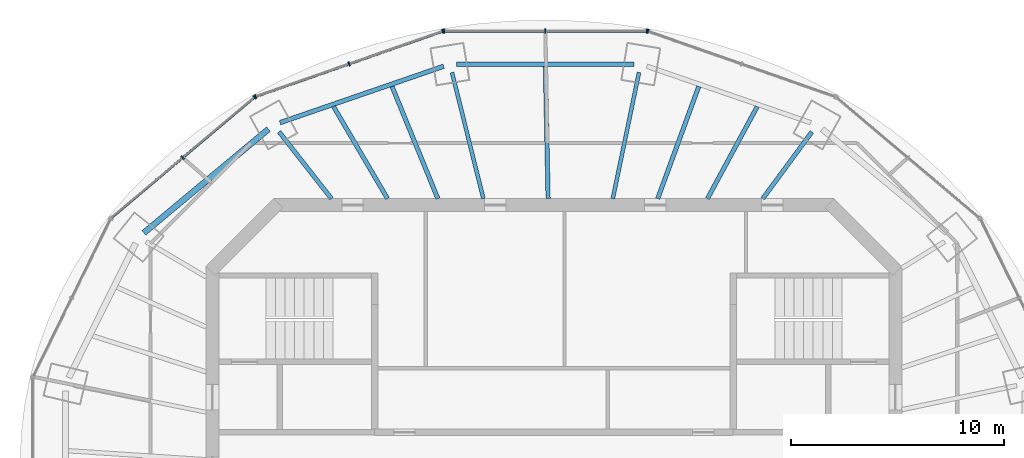
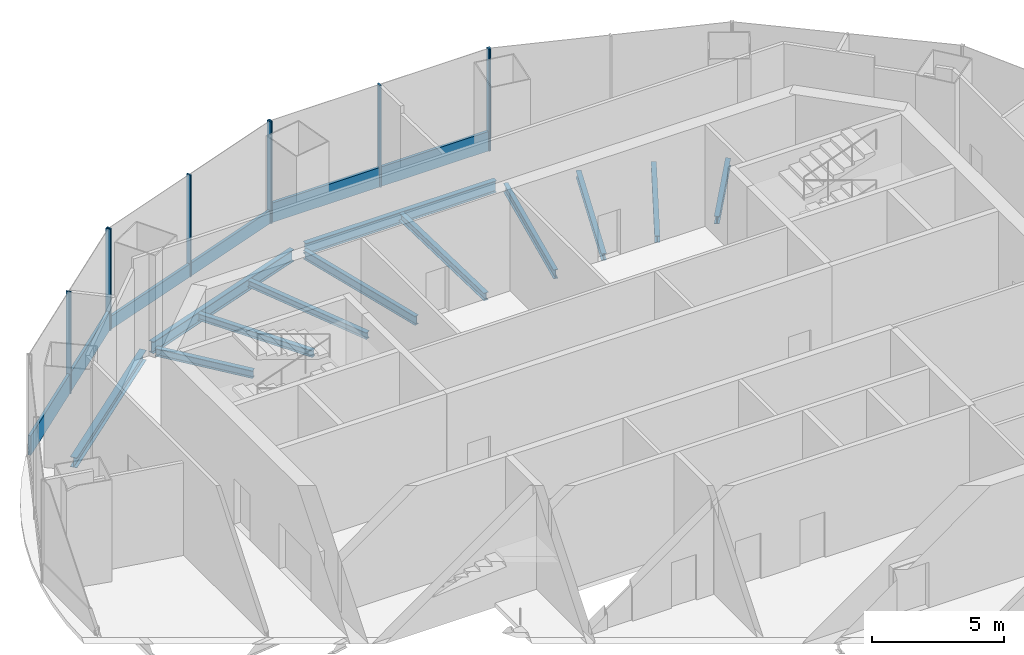
# One storey, part 5 of 11: 12 beams, 12 members, 4 elements without a shape of their own.
"""IFC4 building model written with IfcOpenShell, lengths in metres."""

from ifc_helpers import new_model, si_unit, direction, frame, origin, origin_2d, place, context, subcontext, project, spatial, rectangle, i_section, extrude, material, material_profile, profile_set, type_object, element, aggregate, save


model = new_model("IFC4")

# Units and contexts
model_context = context("Model", 3, precision=1e-05, world=origin(), true_north=direction((0.0, 1.0)))
body_context = subcontext(model_context, "Body", "Model", "MODEL_VIEW")
ifc_project = project(units=[si_unit("LENGTHUNIT", "METRE"), si_unit("AREAUNIT", "SQUARE_METRE"), si_unit("VOLUMEUNIT", "CUBIC_METRE"), si_unit("PLANEANGLEUNIT", "RADIAN"), si_unit("MASSUNIT", "GRAM", prefix="KILO")], contexts=[model_context])

# Site, building, storey
site_placement = place(None, origin())
site = spatial("IfcSite", under=ifc_project, at=site_placement, CompositionType="ELEMENT")
building_placement = place(site_placement, origin())
building = spatial("IfcBuilding", under=site, at=building_placement, Name="Marenthal Gate Tower", CompositionType="ELEMENT")
storey_placement = place(building_placement, frame((0.0, 0.0, 418.550048828125)))
storey = spatial("IfcBuildingStorey", under=building, at=storey_placement, Name="L94", CompositionType="ELEMENT", Elevation=418.550048828125)

# Curtain wall, member
ifc_material_1 = material(Name="Aluminium and glass", Category="aluminium")
curtain_wall_type_1 = type_object("IfcCurtainWallType", Name="Curtain wall crown clad", PredefinedType="NOTDEFINED", material=ifc_material_1)
curtain_wall_1_placement = place(storey_placement, origin())
curtain_wall_1 = element("IfcCurtainWall", 1, at=curtain_wall_1_placement, inside=storey, type_object=curtain_wall_type_1, Name="Curtain wall L94 bay 3", PredefinedType="NOTDEFINED")
ifc_material_2 = material(Name="Aluminium", Category="aluminium")
ifc_material_profile_1 = material_profile(ifc_material_2, rectangle(XDim=0.199951171875, YDim=0.06005859375, at=origin_2d()), Name="60x200 aluminium mullion")
ifc_profile_set_1 = profile_set([ifc_material_profile_1], Name="Aluminium")
member_type_1 = type_object("IfcMemberType", Name="Mullion 60x200 crown clad", PredefinedType="MULLION", material=ifc_profile_set_1)
member_1_placement = place(storey_placement, frame((4.406982421875, 21.142333984375, 0.0), z_axis=(0.0, 0.0, 1.0), x_axis=(-0.329654999466, -0.944101467707, 0.0)))
member_1 = element("IfcMember", 2, at=member_1_placement, type_object=member_type_1, Name="Mullion L94 bay 3.3", PredefinedType="MULLION", context=body_context, shape_type="SweptSolid", body=[
    extrude(rectangle(XDim=0.199951171875, YDim=0.06005859375, at=origin_2d()), origin(), (0.0, 0.0, 1.0), 4.699951171875),
])
aggregate(curtain_wall_1, [member_1])

# Curtain wall, members
curtain_wall_2_placement = place(storey_placement, origin())
curtain_wall_2 = element("IfcCurtainWall", 3, at=curtain_wall_2_placement, inside=storey, type_object=curtain_wall_type_1, Name="Curtain wall L94 bay 5", PredefinedType="NOTDEFINED")
member_2_placement = place(storey_placement, frame((-5.20703125, 21.142333984375, 0.0), z_axis=(0.0, 0.0, 1.0), x_axis=(0.329654999466, -0.944101467707, 0.0)))
member_2 = element("IfcMember", 4, at=member_2_placement, type_object=member_type_1, Name="Mullion L94 bay 5.1", PredefinedType="MULLION", context=body_context, shape_type="SweptSolid", body=[
    extrude(rectangle(XDim=0.199951171875, YDim=0.06005859375, at=origin_2d()), origin(), (0.0, 0.0, 1.0), 4.699951171875),
])
member_3_placement = place(storey_placement, frame((-9.59375, 19.610595703125, 0.0), z_axis=(0.0, 0.0, 1.0), x_axis=(0.329654999466, -0.944101467707, 0.0)))
member_3 = element("IfcMember", 5, at=member_3_placement, type_object=member_type_1, Name="Mullion L94 bay 5.2", PredefinedType="MULLION", context=body_context, shape_type="SweptSolid", body=[
    extrude(rectangle(XDim=0.199951171875, YDim=0.06005859375, at=origin_2d()), origin(), (0.0, 0.0, 1.0), 4.699951171875),
])
member_4_placement = place(storey_placement, frame((-13.98046875, 18.078857421875, 0.0), z_axis=(0.0, 0.0, 1.0), x_axis=(0.329654999466, -0.944101467707, 0.0)))
member_4 = element("IfcMember", 6, at=member_4_placement, type_object=member_type_1, Name="Mullion L94 bay 5.3", PredefinedType="MULLION", context=body_context, shape_type="SweptSolid", body=[
    extrude(rectangle(XDim=0.199951171875, YDim=0.06005859375, at=origin_2d()), origin(), (0.0, 0.0, 1.0), 4.699951171875),
])

ifc_material_3 = material(Name="Aluminium and glass", Category="aluminium")
curtain_wall_type_2 = type_object("IfcCurtainWallType", Name="Curtain wall typical high", PredefinedType="NOTDEFINED", material=ifc_material_3)
curtain_wall_3_placement = place(storey_placement, origin())
curtain_wall_3 = element("IfcCurtainWall", 7, at=curtain_wall_3_placement, inside=storey, type_object=curtain_wall_type_2, Name="Curtain wall L94 bay 4", PredefinedType="NOTDEFINED")
ifc_material_4 = material(Name="Aluminium", Category="aluminium")
ifc_material_profile_2 = material_profile(ifc_material_4, rectangle(XDim=0.199951171875, YDim=0.06005859375, at=origin_2d()), Name="60x200 aluminium mullion")
ifc_profile_set_2 = profile_set([ifc_material_profile_2], Name="Aluminium")
member_type_2 = type_object("IfcMemberType", Name="Mullion 60x200 typical high", PredefinedType="MULLION", material=ifc_profile_set_2)
member_5_placement = place(storey_placement, frame((4.3486328125, 21.152099609375, 0.0), z_axis=(0.0, 0.0, 1.0), x_axis=(0.0, -1.0, 0.0)))
member_5 = element("IfcMember", 8, at=member_5_placement, type_object=member_type_2, Name="Mullion L94 bay 4.1", PredefinedType="MULLION", context=body_context, shape_type="SweptSolid", body=[
    extrude(rectangle(XDim=0.199951171875, YDim=0.06005859375, at=origin_2d()), origin(), (0.0, 0.0, 1.0), 4.699951171875),
])
member_6_placement = place(storey_placement, frame((-0.39990234375, 21.152099609375, 0.0), z_axis=(0.0, 0.0, 1.0), x_axis=(0.0, -1.0, 0.0)))
member_6 = element("IfcMember", 9, at=member_6_placement, type_object=member_type_2, Name="Mullion L94 bay 4.2", PredefinedType="MULLION", context=body_context, shape_type="SweptSolid", body=[
    extrude(rectangle(XDim=0.199951171875, YDim=0.06005859375, at=origin_2d()), origin(), (0.0, 0.0, 1.0), 4.699951171875),
])
member_7_placement = place(storey_placement, frame((-5.148681640625, 21.152099609375, 0.0), z_axis=(0.0, 0.0, 1.0), x_axis=(0.0, -1.0, 0.0)))
member_7 = element("IfcMember", 10, at=member_7_placement, type_object=member_type_2, Name="Mullion L94 bay 4.3", PredefinedType="MULLION", context=body_context, shape_type="SweptSolid", body=[
    extrude(rectangle(XDim=0.199951171875, YDim=0.06005859375, at=origin_2d()), origin(), (0.0, 0.0, 1.0), 4.699951171875),
])

curtain_wall_4_placement = place(storey_placement, origin())
curtain_wall_4 = element("IfcCurtainWall", 11, at=curtain_wall_4_placement, inside=storey, type_object=curtain_wall_type_2, Name="Curtain wall L94 bay 6", PredefinedType="NOTDEFINED")
member_8_placement = place(storey_placement, frame((-14.03173828125, 18.049560546875, 0.0), z_axis=(0.0, 0.0, 1.0), x_axis=(0.644530734274, -0.76457840185, 0.0)))
member_8 = element("IfcMember", 12, at=member_8_placement, type_object=member_type_2, Name="Mullion L94 bay 6.1", PredefinedType="MULLION", context=body_context, shape_type="SweptSolid", body=[
    extrude(rectangle(XDim=0.199951171875, YDim=0.06005859375, at=origin_2d()), origin(), (0.0, 0.0, 1.0), 4.699951171875),
])
member_9_placement = place(storey_placement, frame((-17.3876953125, 15.220458984375, 0.0), z_axis=(0.0, 0.0, 1.0), x_axis=(0.644530734274, -0.76457840185, 0.0)))
member_9 = element("IfcMember", 13, at=member_9_placement, type_object=member_type_2, Name="Mullion L94 bay 6.2", PredefinedType="MULLION", context=body_context, shape_type="SweptSolid", body=[
    extrude(rectangle(XDim=0.199951171875, YDim=0.06005859375, at=origin_2d()), origin(), (0.0, 0.0, 1.0), 4.699951171875),
])

# Member
ifc_material_5 = material(Name="Aluminium", Category="aluminium")
ifc_material_profile_3 = material_profile(ifc_material_5, rectangle(XDim=0.1201171875, YDim=0.60009765625, at=origin_2d()), Name="120x600 aluminium transom")
ifc_profile_set_3 = profile_set([ifc_material_profile_3], Name="Aluminium")
member_type_3 = type_object("IfcMemberType", Name="Transom 120x600 crown clad", PredefinedType="USERDEFINED", material=ifc_profile_set_3)
member_10_placement = place(storey_placement, frame((-5.2353515625, 21.13232421875, 0.300048828125), z_axis=(-0.944108730484, -0.329634198807, 0.0), x_axis=(0.329634198807, -0.944108730484, 0.0)))
member_10 = element("IfcMember", 14, at=member_10_placement, type_object=member_type_3, Name="Transom L94 bay 5", ObjectType="TRANSOM", PredefinedType="USERDEFINED", context=body_context, shape_type="SweptSolid", body=[
    extrude(rectangle(XDim=0.1201171875, YDim=0.60009765625, at=origin_2d()), origin(), (0.0, 0.0, 1.0), 9.23291015625),
])

aggregate(curtain_wall_2, [member_2, member_3, member_4, member_10])

ifc_material_6 = material(Name="Aluminium", Category="aluminium")
ifc_material_profile_4 = material_profile(ifc_material_6, rectangle(XDim=0.1201171875, YDim=0.89990234375, at=origin_2d()), Name="120x900 aluminium transom")
ifc_profile_set_4 = profile_set([ifc_material_profile_4], Name="Aluminium")
member_type_4 = type_object("IfcMemberType", Name="Transom 120x900 typical high", PredefinedType="USERDEFINED", material=ifc_profile_set_4)
member_11_placement = place(storey_placement, frame((4.318603515625, 21.152099609375, 0.449951171875), z_axis=(-1.0, 0.0, 0.0), x_axis=(0.0, -1.0, 0.0)))
member_11 = element("IfcMember", 15, at=member_11_placement, type_object=member_type_4, Name="Transom L94 bay 4", ObjectType="TRANSOM", PredefinedType="USERDEFINED", context=body_context, shape_type="SweptSolid", body=[
    extrude(rectangle(XDim=0.1201171875, YDim=0.89990234375, at=origin_2d()), origin(), (0.0, 0.0, 1.0), 9.437255859375),
])

aggregate(curtain_wall_3, [member_5, member_6, member_7, member_11])

member_12_placement = place(storey_placement, frame((-14.0546875, 18.0302734375, 0.449951171875), z_axis=(-0.76457562332, -0.644534030308, 0.0), x_axis=(0.644534030308, -0.76457562332, 0.0)))
member_12 = element("IfcMember", 16, at=member_12_placement, type_object=member_type_4, Name="Transom L94 bay 6", ObjectType="TRANSOM", PredefinedType="USERDEFINED", context=body_context, shape_type="SweptSolid", body=[
    extrude(rectangle(XDim=0.1201171875, YDim=0.89990234375, at=origin_2d()), origin(), (0.0, 0.0, 1.0), 8.718994140625),
])

aggregate(curtain_wall_4, [member_8, member_9, member_12])

# Beams
ifc_material_7 = material(Name="Steel S355", Category="steel")
ifc_material_profile_5 = material_profile(ifc_material_7, i_section(OverallWidth=0.205078125, OverallDepth=0.31005859375, WebThickness=0.009521484375, FlangeThickness=0.016357421875, FilletRadius=0.0126953125, at=origin_2d()), Name="W310X74")
ifc_profile_set_5 = profile_set([ifc_material_profile_5], Name="Steel S355")
beam_type_1 = type_object("IfcBeamType", Name="W310X74 beam", PredefinedType="BEAM", material=ifc_profile_set_5)
beam_1_placement = place(storey_placement, frame((9.5263671875, 17.60986328125, -0.35498046875), z_axis=(-0.475819217465, -0.879543104283, 0.0), x_axis=(0.879543104283, -0.475819217465, 0.0)))
element("IfcBeam", 17, at=beam_1_placement, inside=storey, type_object=beam_type_1, Name="BM-L94-19", PredefinedType="BEAM", context=body_context, shape_type="SweptSolid", body=[
    extrude(i_section(OverallWidth=0.205078125, OverallDepth=0.31005859375, WebThickness=0.009521484375, FlangeThickness=0.016357421875, FilletRadius=0.0126953125, at=origin_2d()), origin(), (0.0, 0.0, 1.0), 4.900146484375),
])
beam_2_placement = place(storey_placement, frame((6.78759765625, 18.553955078125, -0.35498046875), z_axis=(-0.343574960122, -0.93912525617, 0.0), x_axis=(0.93912525617, -0.343574960122, 0.0)))
element("IfcBeam", 18, at=beam_2_placement, inside=storey, type_object=beam_type_1, Name="BM-L94-20", PredefinedType="BEAM", context=body_context, shape_type="SweptSolid", body=[
    extrude(i_section(OverallWidth=0.205078125, OverallDepth=0.31005859375, WebThickness=0.009521484375, FlangeThickness=0.016357421875, FilletRadius=0.0126953125, at=origin_2d()), origin(), (0.0, 0.0, 1.0), 5.594482421875),
])
beam_3_placement = place(storey_placement, frame((-7.583740234375, 18.55517578125, -0.35498046875), z_axis=(0.378349838385, -0.925662681431, 0.0), x_axis=(0.925662681431, 0.378349838385, 0.0)))
element("IfcBeam", 19, at=beam_3_placement, inside=storey, type_object=beam_type_1, Name="BM-L94-22", PredefinedType="BEAM", context=body_context, shape_type="SweptSolid", body=[
    extrude(i_section(OverallWidth=0.205078125, OverallDepth=0.31005859375, WebThickness=0.009521484375, FlangeThickness=0.016357421875, FilletRadius=0.0126953125, at=origin_2d()), origin(), (0.0, 0.0, 1.0), 5.67724609375),
])
beam_4_placement = place(storey_placement, frame((-10.32275390625, 17.611083984375, -0.35498046875), z_axis=(0.505674359947, -0.862724429753, 0.0), x_axis=(0.862724429753, 0.505674359947, 0.0)))
element("IfcBeam", 20, at=beam_4_placement, inside=storey, type_object=beam_type_1, Name="BM-L94-23", PredefinedType="BEAM", context=body_context, shape_type="SweptSolid", body=[
    extrude(i_section(OverallWidth=0.205078125, OverallDepth=0.31005859375, WebThickness=0.009521484375, FlangeThickness=0.016357421875, FilletRadius=0.0126953125, at=origin_2d()), origin(), (0.0, 0.0, 1.0), 4.9970703125),
])
ifc_material_8 = material(Name="Steel S355", Category="steel")
ifc_material_profile_6 = material_profile(ifc_material_8, i_section(OverallWidth=0.205078125, OverallDepth=0.35302734375, WebThickness=0.009521484375, FlangeThickness=0.016845703125, FilletRadius=0.014892578125, at=origin_2d()), Name="W360X79")
ifc_profile_set_6 = profile_set([ifc_material_profile_6], Name="Steel S355")
beam_type_2 = type_object("IfcBeamType", Name="W360X79 beam", PredefinedType="BEAM", material=ifc_profile_set_6)
beam_5_placement = place(storey_placement, frame((12.089599609375, 16.42724609375, -0.37646484375), z_axis=(-0.592742096067, -0.805392331445, 0.0), x_axis=(0.805392331445, -0.592742096067, 0.0)))
element("IfcBeam", 21, at=beam_5_placement, inside=storey, type_object=beam_type_2, Name="BM-L94-03", PredefinedType="BEAM", context=body_context, shape_type="SweptSolid", body=[
    extrude(i_section(OverallWidth=0.205078125, OverallDepth=0.35302734375, WebThickness=0.009521484375, FlangeThickness=0.016845703125, FilletRadius=0.014892578125, at=origin_2d()), origin(), (0.0, 0.0, 1.0), 3.8828125),
])
beam_6_placement = place(storey_placement, frame((-12.877197265625, 16.431640625, -0.37646484375), z_axis=(0.616821048064, -0.787103420565, 0.0), x_axis=(0.787103420565, 0.616821048064, 0.0)))
element("IfcBeam", 22, at=beam_6_placement, inside=storey, type_object=beam_type_2, Name="BM-L94-06", PredefinedType="BEAM", context=body_context, shape_type="SweptSolid", body=[
    extrude(i_section(OverallWidth=0.205078125, OverallDepth=0.35302734375, WebThickness=0.009521484375, FlangeThickness=0.016845703125, FilletRadius=0.014892578125, at=origin_2d()), origin(), (0.0, 0.0, 1.0), 3.978515625),
])
beam_7_placement = place(storey_placement, frame((-0.397705078125, 19.49658203125, -0.37646484375), z_axis=(0.020365343238, -0.999792604891, 0.0), x_axis=(0.999792604891, 0.020365343238, 0.0)))
element("IfcBeam", 23, at=beam_7_placement, inside=storey, type_object=beam_type_2, Name="BM-L94-21", PredefinedType="BEAM", context=body_context, shape_type="SweptSolid", body=[
    extrude(i_section(OverallWidth=0.205078125, OverallDepth=0.35302734375, WebThickness=0.009521484375, FlangeThickness=0.016845703125, FilletRadius=0.014892578125, at=origin_2d()), origin(), (0.0, 0.0, 1.0), 6.19775390625),
])
ifc_material_9 = material(Name="Steel S355", Category="steel")
ifc_material_profile_7 = material_profile(ifc_material_9, i_section(OverallWidth=0.180908203125, OverallDepth=0.4169921875, WebThickness=0.010986328125, FlangeThickness=0.018310546875, FilletRadius=0.01025390625, at=origin_2d()), Name="W410X85")
ifc_profile_set_7 = profile_set([ifc_material_profile_7], Name="Steel S355")
beam_type_3 = type_object("IfcBeamType", Name="W410X85 beam", PredefinedType="BEAM", material=ifc_profile_set_7)
beam_8_placement = place(storey_placement, frame((3.989013671875, 19.210205078125, -0.408447265625), z_axis=(-0.203321076416, -0.979112118138, 0.0), x_axis=(0.979112118138, -0.203321076416, 0.0)))
element("IfcBeam", 24, at=beam_8_placement, inside=storey, type_object=beam_type_3, Name="BM-L94-04", PredefinedType="BEAM", context=body_context, shape_type="SweptSolid", body=[
    extrude(i_section(OverallWidth=0.180908203125, OverallDepth=0.4169921875, WebThickness=0.010986328125, FlangeThickness=0.018310546875, FilletRadius=0.01025390625, at=origin_2d()), origin(), (0.0, 0.0, 1.0), 6.0361328125),
])
beam_9_placement = place(storey_placement, frame((-4.7734375, 19.211669921875, -0.408447265625), z_axis=(0.241158531048, -0.970485735548, 0.0), x_axis=(0.970485735548, 0.241158531048, 0.0)))
element("IfcBeam", 25, at=beam_9_placement, inside=storey, type_object=beam_type_3, Name="BM-L94-05", PredefinedType="BEAM", context=body_context, shape_type="SweptSolid", body=[
    extrude(i_section(OverallWidth=0.180908203125, OverallDepth=0.4169921875, WebThickness=0.010986328125, FlangeThickness=0.018310546875, FilletRadius=0.01025390625, at=origin_2d()), origin(), (0.0, 0.0, 1.0), 6.09130859375),
])
ifc_material_10 = material(Name="Steel S355", Category="steel")
ifc_material_profile_8 = material_profile(ifc_material_10, i_section(OverallWidth=0.279052734375, OverallDepth=0.4619140625, WebThickness=0.0107421875, FlangeThickness=0.017333984375, FilletRadius=0.010009765625, at=origin_2d()), Name="W460X113")
ifc_profile_set_8 = profile_set([ifc_material_profile_8], Name="Steel S355")
beam_type_4 = type_object("IfcBeamType", Name="W460X113 beam", PredefinedType="BEAM", material=ifc_profile_set_8)
beam_10_placement = place(storey_placement, frame((-13.372314453125, 16.55419921875, -0.43115234375), z_axis=(-0.76867694578, -0.639637204223, 0.0), x_axis=(0.639637204223, -0.76867694578, 0.0)))
element("IfcBeam", 26, at=beam_10_placement, inside=storey, type_object=beam_type_4, Name="BM-L94-41", PredefinedType="BEAM", context=body_context, shape_type="SweptSolid", body=[
    extrude(i_section(OverallWidth=0.279052734375, OverallDepth=0.4619140625, WebThickness=0.0107421875, FlangeThickness=0.017333984375, FilletRadius=0.010009765625, at=origin_2d()), origin(), (0.0, 0.0, 1.0), 7.594482421875),
])
ifc_material_11 = material(Name="Steel S355", Category="steel")
ifc_material_profile_9 = material_profile(ifc_material_11, i_section(OverallWidth=0.2119140625, OverallDepth=0.5439453125, WebThickness=0.01318359375, FlangeThickness=0.021240234375, FilletRadius=0.0126953125, at=origin_2d()), Name="W530X123")
ifc_profile_set_9 = profile_set([ifc_material_profile_9], Name="Steel S355")
beam_type_5 = type_object("IfcBeamType", Name="W530X123 beam", PredefinedType="BEAM", material=ifc_profile_set_9)
beam_11_placement = place(storey_placement, frame((3.759521484375, 19.6025390625, -0.47216796875), z_axis=(-1.0, 0.0, 0.0), x_axis=(0.0, -1.0, 0.0)))
element("IfcBeam", 27, at=beam_11_placement, inside=storey, type_object=beam_type_5, Name="BM-L94-39", PredefinedType="BEAM", context=body_context, shape_type="SweptSolid", body=[
    extrude(i_section(OverallWidth=0.2119140625, OverallDepth=0.5439453125, WebThickness=0.01318359375, FlangeThickness=0.021240234375, FilletRadius=0.0126953125, at=origin_2d()), origin(), (0.0, 0.0, 1.0), 8.319091796875),
])
beam_12_placement = place(storey_placement, frame((-5.164794921875, 19.501220703125, -0.47216796875), z_axis=(-0.945411347575, -0.325879400816, 0.0), x_axis=(0.325879400816, -0.945411347575, 0.0)))
element("IfcBeam", 28, at=beam_12_placement, inside=storey, type_object=beam_type_5, Name="BM-L94-40", PredefinedType="BEAM", context=body_context, shape_type="SweptSolid", body=[
    extrude(i_section(OverallWidth=0.2119140625, OverallDepth=0.5439453125, WebThickness=0.01318359375, FlangeThickness=0.021240234375, FilletRadius=0.0126953125, at=origin_2d()), origin(), (0.0, 0.0, 1.0), 8.113525390625),
])

save(model, "model.ifc")
